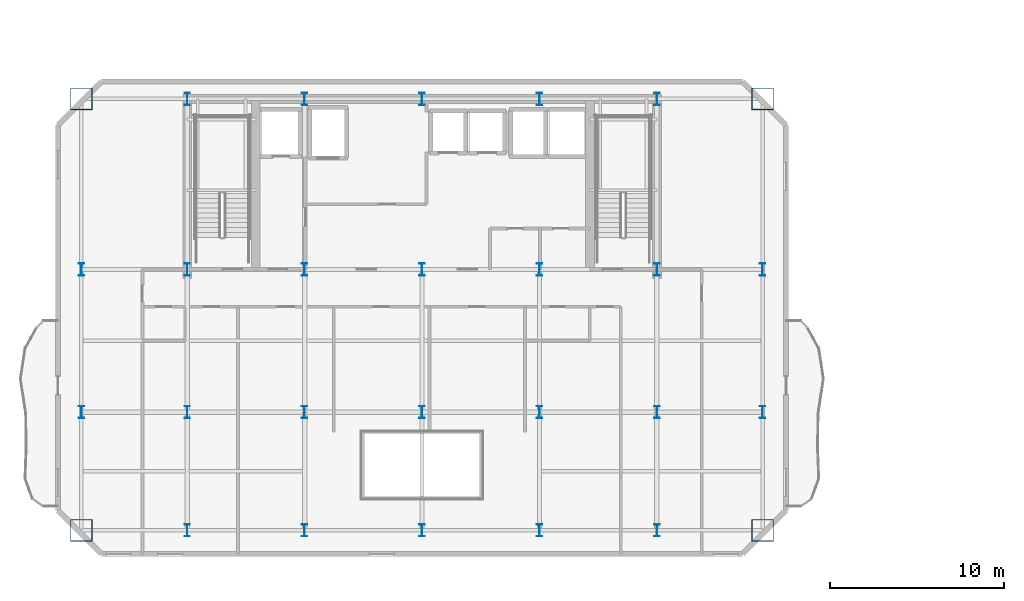
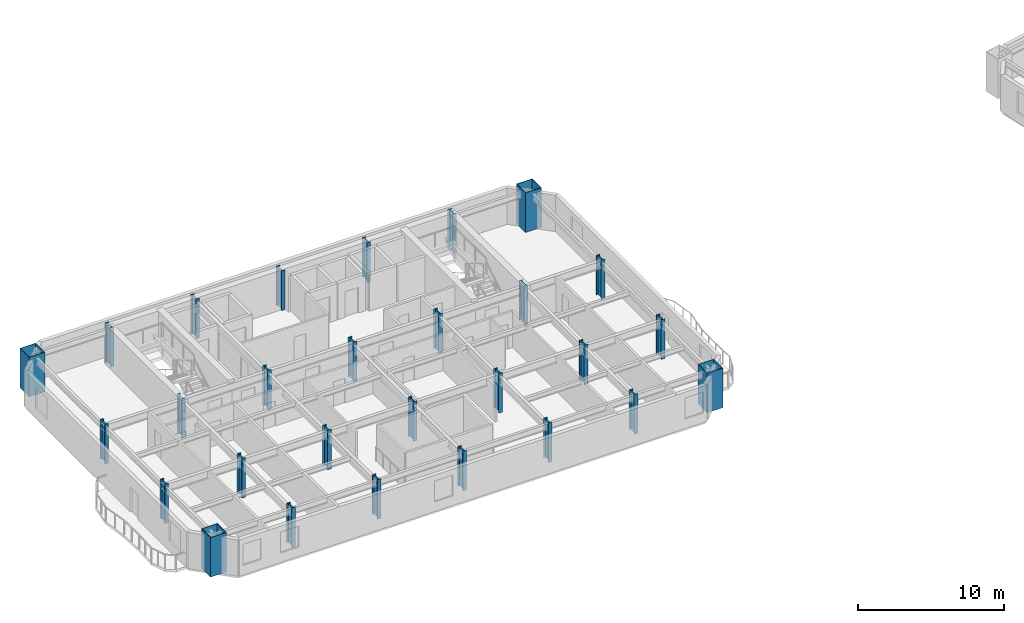
# One storey, part 1 of 13: 28 columns.
"""IFC4 building model written with IfcOpenShell, lengths in metres."""

from ifc_helpers import new_model, si_unit, direction, frame, origin, origin_2d, place, context, subcontext, project, spatial, hollow_rectangle, i_section, extrude, material, material_profile, profile_set, type_object, element, save


model = new_model("IFC4")

# Units and contexts
model_context = context("Model", 3, precision=1e-05, world=origin(), true_north=direction((0.0, 1.0)))
body_context = subcontext(model_context, "Body", "Model", "MODEL_VIEW")
ifc_project = project(units=[si_unit("LENGTHUNIT", "METRE"), si_unit("AREAUNIT", "SQUARE_METRE"), si_unit("VOLUMEUNIT", "CUBIC_METRE"), si_unit("PLANEANGLEUNIT", "RADIAN"), si_unit("MASSUNIT", "GRAM", prefix="KILO")], contexts=[model_context])

# Site, building, storey
site_placement = place(None, origin())
site = spatial("IfcSite", under=ifc_project, at=site_placement, CompositionType="ELEMENT")
building_placement = place(site_placement, origin())
building = spatial("IfcBuilding", under=site, at=building_placement, Name="Haevon Station Towers", CompositionType="ELEMENT")
storey_placement = place(building_placement, frame((0.0, 0.0, 159.300048828125)))
storey = spatial("IfcBuildingStorey", under=building, at=storey_placement, Name="L43", CompositionType="ELEMENT", Elevation=159.300048828125)

# Columns
ifc_material_1 = material(Name="Steel S460", Category="steel")
ifc_material_profile_1 = material_profile(ifc_material_1, hollow_rectangle(XDim=1.25, YDim=1.25, WallThickness=0.034912109375, at=origin_2d()), Name="BOX-1250x1250x35")
ifc_profile_set_1 = profile_set([ifc_material_profile_1], Name="Steel S460")
column_type_1 = type_object("IfcColumnType", Name="COL-MC4", PredefinedType="COLUMN", material=ifc_profile_set_1)
for number, where, z_axis, x_axis, name in (
    (1, (17.925048828125, 23.199951171875, 0.0), (0.0, 0.0, 1.0), (1.0, 0.0, 0.0), "COL-T1-L43-01-01"),
    (2, (17.925048828125, 48.0, 0.0), (0.0, 0.0, 1.0), (1.0, 0.0, 0.0), "COL-T1-L43-01-04"),
    (3, (57.074951171875, 23.199951171875, 0.0), (0.0, 0.0, 1.0), (1.0, 0.0, 0.0), "COL-T1-L43-07-01"),
    (4, (57.074951171875, 48.0, 0.0), (0.0, 0.0, 1.0), (1.0, 0.0, 0.0), "COL-T1-L43-07-04"),
):
    element("IfcColumn", number, at=place(storey_placement, frame(where, z_axis=z_axis, x_axis=x_axis)), inside=storey, type_object=column_type_1, Name=name, PredefinedType="COLUMN", context=body_context, shape_type="SweptSolid", body=[
        extrude(hollow_rectangle(XDim=1.25, YDim=1.25, WallThickness=0.034912109375, at=origin_2d()), origin(), (0.0, 0.0, 1.0), 3.300048828125),
    ])
ifc_material_2 = material(Name="Steel S355", Category="steel")
ifc_material_profile_2 = material_profile(ifc_material_2, i_section(OverallWidth=0.300048828125, OverallDepth=0.699951171875, WebThickness=0.01611328125, FlangeThickness=0.028076171875, at=origin_2d()), Name="H-700x300x16x28")
ifc_profile_set_2 = profile_set([ifc_material_profile_2], Name="Steel S355")
column_type_2 = type_object("IfcColumnType", Name="COL-TW3", PredefinedType="COLUMN", material=ifc_profile_set_2)
for number, where, z_axis, x_axis, name in (
    (5, (17.925048828125, 30.0, 0.0), (0.0, 0.0, 1.0), (1.0, 0.0, 0.0), "COL-T1-L43-01-02"),
    (6, (17.925048828125, 38.199951171875, 0.0), (0.0, 0.0, 1.0), (1.0, 0.0, 0.0), "COL-T1-L43-01-03"),
    (7, (24.0, 23.199951171875, 0.0), (0.0, 0.0, 1.0), (1.0, 0.0, 0.0), "COL-T1-L43-02-01"),
    (8, (24.0, 30.0, 0.0), (0.0, 0.0, 1.0), (1.0, 0.0, 0.0), "COL-T1-L43-02-02"),
    (9, (24.0, 38.199951171875, 0.0), (0.0, 0.0, 1.0), (1.0, 0.0, 0.0), "COL-T1-L43-02-03"),
    (10, (24.0, 48.0, 0.0), (0.0, 0.0, 1.0), (1.0, 0.0, 0.0), "COL-T1-L43-02-04"),
    (11, (30.75, 23.199951171875, 0.0), (0.0, 0.0, 1.0), (1.0, 0.0, 0.0), "COL-T1-L43-03-01"),
    (12, (30.75, 30.0, 0.0), (0.0, 0.0, 1.0), (1.0, 0.0, 0.0), "COL-T1-L43-03-02"),
    (13, (30.75, 38.199951171875, 0.0), (0.0, 0.0, 1.0), (1.0, 0.0, 0.0), "COL-T1-L43-03-03"),
    (14, (30.75, 48.0, 0.0), (0.0, 0.0, 1.0), (1.0, 0.0, 0.0), "COL-T1-L43-03-04"),
    (15, (37.5, 23.199951171875, 0.0), (0.0, 0.0, 1.0), (1.0, 0.0, 0.0), "COL-T1-L43-04-01"),
    (16, (37.5, 30.0, 0.0), (0.0, 0.0, 1.0), (1.0, 0.0, 0.0), "COL-T1-L43-04-02"),
    (17, (37.5, 38.199951171875, 0.0), (0.0, 0.0, 1.0), (1.0, 0.0, 0.0), "COL-T1-L43-04-03"),
    (18, (37.5, 48.0, 0.0), (0.0, 0.0, 1.0), (1.0, 0.0, 0.0), "COL-T1-L43-04-04"),
    (19, (44.25, 23.199951171875, 0.0), (0.0, 0.0, 1.0), (1.0, 0.0, 0.0), "COL-T1-L43-05-01"),
    (20, (44.25, 30.0, 0.0), (0.0, 0.0, 1.0), (1.0, 0.0, 0.0), "COL-T1-L43-05-02"),
    (21, (44.25, 38.199951171875, 0.0), (0.0, 0.0, 1.0), (1.0, 0.0, 0.0), "COL-T1-L43-05-03"),
    (22, (44.25, 48.0, 0.0), (0.0, 0.0, 1.0), (1.0, 0.0, 0.0), "COL-T1-L43-05-04"),
    (23, (51.0, 23.199951171875, 0.0), (0.0, 0.0, 1.0), (1.0, 0.0, 0.0), "COL-T1-L43-06-01"),
    (24, (51.0, 30.0, 0.0), (0.0, 0.0, 1.0), (1.0, 0.0, 0.0), "COL-T1-L43-06-02"),
    (25, (51.0, 38.199951171875, 0.0), (0.0, 0.0, 1.0), (1.0, 0.0, 0.0), "COL-T1-L43-06-03"),
    (26, (51.0, 48.0, 0.0), (0.0, 0.0, 1.0), (1.0, 0.0, 0.0), "COL-T1-L43-06-04"),
    (27, (57.074951171875, 30.0, 0.0), (0.0, 0.0, 1.0), (1.0, 0.0, 0.0), "COL-T1-L43-07-02"),
    (28, (57.074951171875, 38.199951171875, 0.0), (0.0, 0.0, 1.0), (1.0, 0.0, 0.0), "COL-T1-L43-07-03"),
):
    element("IfcColumn", number, at=place(storey_placement, frame(where, z_axis=z_axis, x_axis=x_axis)), inside=storey, type_object=column_type_2, Name=name, PredefinedType="COLUMN", context=body_context, shape_type="SweptSolid", body=[
        extrude(i_section(OverallWidth=0.300048828125, OverallDepth=0.699951171875, WebThickness=0.01611328125, FlangeThickness=0.028076171875, at=origin_2d()), origin(), (0.0, 0.0, 1.0), 3.300048828125),
    ])

save(model, "model.ifc")
